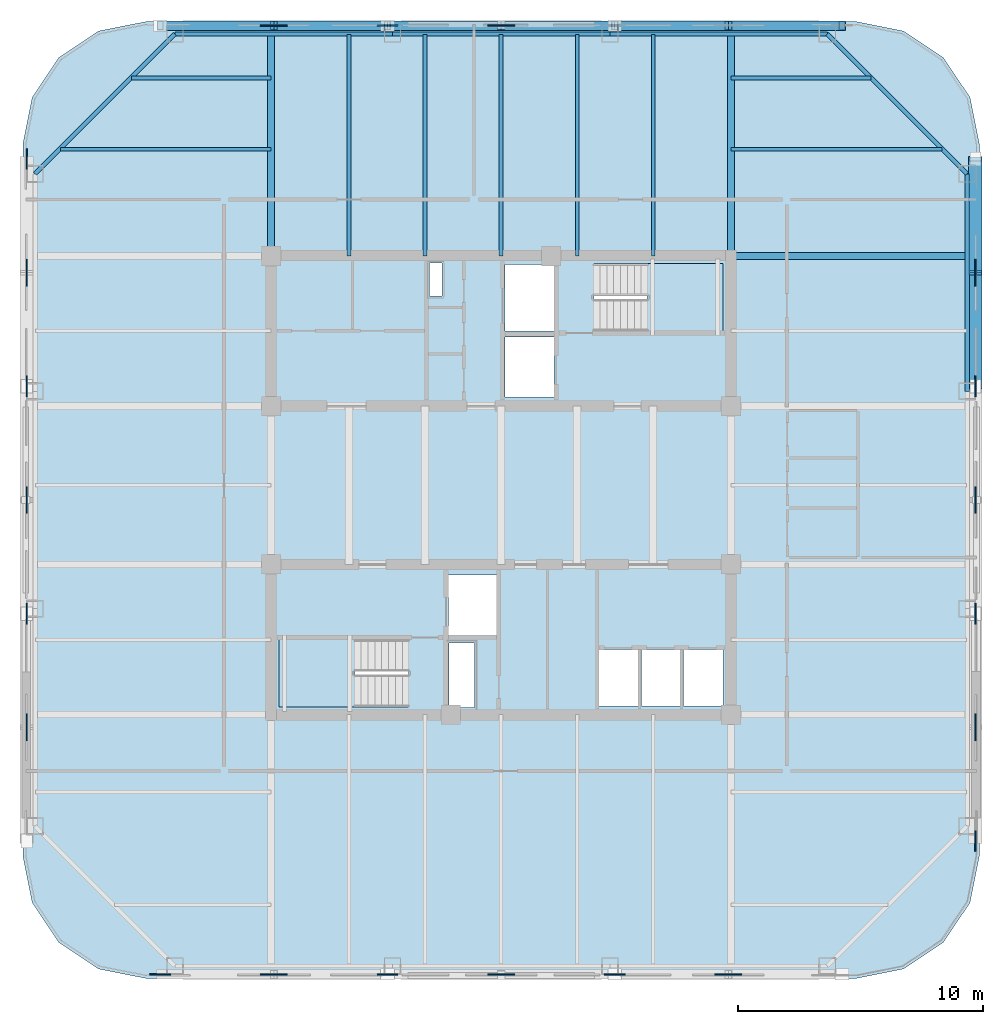
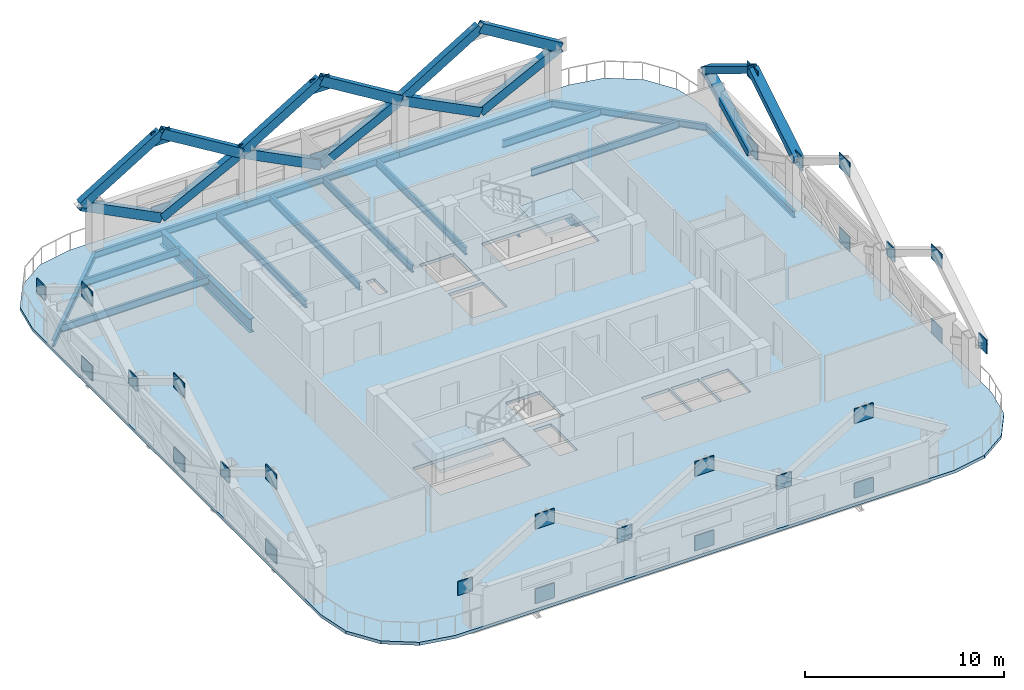
# One storey, part 2 of 9: 32 plates, 18 beams, 15 members, 3 slabs, 2 elements without a shape of their own.
"""IFC4 building model written with IfcOpenShell, lengths in metres."""

import ifcopenshell
import ifcopenshell.guid

model = None  # the IFC model being written
_history = None  # IfcOwnerHistory: only IFC2X3 demands one
_inside = {}  # id of a spatial element -> (the spatial element, [elements in it])
_under = {}  # id of a project, library or spatial element -> (it, [spatial elements below it])
_declared = {}  # id of a project -> (the project, [libraries it declares])
_typed = {}  # id of a type object -> (the type object, [elements of that type])
_made_of = {}  # id of a material, layer set ... -> (it, [elements and type objects made of it])


def new_model(schema):
    """Start an empty IFC model of exactly this schema.

    Asked for "IFC4X3", IfcOpenShell would pick the latest addendum, in which some entities
    have other attributes; the version numbers below select the first issue.
    IFC2X3 requires an IfcOwnerHistory on every rooted entity: one is made here for all.
    """
    global model, _history
    if schema == "IFC4X3":
        model = ifcopenshell.file(schema_version=(4, 3, 0, 0))
    else:
        model = ifcopenshell.file(schema=schema)
    _inside.clear()
    _under.clear()
    _declared.clear()
    _typed.clear()
    _made_of.clear()
    _history = None
    if model.schema == "IFC2X3":
        org = make("IfcOrganization", Name="unknown")
        user = make(
            "IfcPersonAndOrganization",
            ThePerson=make("IfcPerson", FamilyName="unknown"),
            TheOrganization=org,
        )
        app = make(
            "IfcApplication",
            ApplicationDeveloper=org,
            Version="unknown",
            ApplicationFullName="unknown",
            ApplicationIdentifier="unknown",
        )
        _history = make(
            "IfcOwnerHistory",
            OwningUser=user,
            OwningApplication=app,
            ChangeAction="ADDED",
            CreationDate=0,
        )
    return model


def make(cls, **values):
    """One entity of the class cls with the attributes given. An attribute that is None is left unset."""
    return model.create_entity(
        cls, **{name: value for name, value in values.items() if value is not None}
    )


def rooted(cls, **values):
    """An entity with a GlobalId (a new one), such as an element, a storey or a relation."""
    return make(cls, GlobalId=ifcopenshell.guid.new(), OwnerHistory=_history, **values)


def si_unit(unit_type, name, prefix=None):
    """IfcSIUnit, for example si_unit("LENGTHUNIT", "METRE", prefix="MILLI")."""
    return make("IfcSIUnit", UnitType=unit_type, Prefix=prefix, Name=name)


def assignment(units):
    """IfcUnitAssignment: the units of a project."""
    return None if units is None else make("IfcUnitAssignment", Units=units)


def point(xyz):
    """IfcCartesianPoint."""
    return None if xyz is None else make("IfcCartesianPoint", Coordinates=xyz)


def direction(xyz):
    """IfcDirection."""
    return None if xyz is None else make("IfcDirection", DirectionRatios=xyz)


def frame(location, z_axis=None, x_axis=None):
    """IfcAxis2Placement3D, a coordinate frame: its origin and axes. An axis left out is left unset."""
    return make(
        "IfcAxis2Placement3D",
        Location=point(location),
        Axis=direction(z_axis),
        RefDirection=direction(x_axis),
    )


def frame_2d(location, x_axis=None):
    """IfcAxis2Placement2D, a coordinate frame in the plane: its origin and x axis."""
    return make(
        "IfcAxis2Placement2D", Location=point(location), RefDirection=direction(x_axis)
    )


def origin():
    """The frame at (0, 0, 0) with its axes left unset."""
    return frame((0.0, 0.0, 0.0))


def origin_2d():
    """The frame at (0, 0) in the plane with its x axis left unset."""
    return frame_2d((0.0, 0.0))


def place(relative_to, where):
    """IfcLocalPlacement: puts the frame where relative to a parent placement (None: the world)."""
    return make(
        "IfcLocalPlacement", PlacementRelTo=relative_to, RelativePlacement=where
    )


def context(
    kind, dimensions, precision=None, world=None, true_north=None, identifier=None
):
    """IfcGeometricRepresentationContext, for example the 3D "Model" context."""
    return make(
        "IfcGeometricRepresentationContext",
        ContextIdentifier=identifier,
        ContextType=kind,
        CoordinateSpaceDimension=dimensions,
        Precision=precision,
        WorldCoordinateSystem=world,
        TrueNorth=true_north,
    )


def subcontext(parent, identifier, kind, view, scale=None):
    """IfcGeometricRepresentationSubContext, for example "Body" below "Model"."""
    return make(
        "IfcGeometricRepresentationSubContext",
        ContextIdentifier=identifier,
        ContextType=kind,
        ParentContext=parent,
        TargetScale=scale,
        TargetView=view,
    )


def project(units=None, contexts=None):
    """IfcProject with its units and contexts."""
    return rooted(
        "IfcProject",
        Name="project",
        RepresentationContexts=contexts,
        UnitsInContext=assignment(units),
    )


def spatial(cls, under=None, at=None, **own):
    """A site, building, storey or space (cls), placed at a placement, below another one or the project."""
    s = rooted(cls, ObjectPlacement=at, **own)
    if under is not None:
        _under.setdefault(under.id(), (under, []))[1].append(s)
    return s


def polyline(points):
    """IfcPolyline through the points."""
    return make("IfcPolyline", Points=[point(p) for p in points])


def profile(cls, at=None, kind="AREA", **sizes):
    """A parametric profile (cls). Its sizes go by their IFC names, for example OverallWidth=200.0."""
    return make(cls, ProfileType=kind, Position=at, **sizes)


def rectangle(**sizes):
    """IfcRectangleProfileDef."""
    return profile("IfcRectangleProfileDef", **sizes)


def hollow_rectangle(**sizes):
    """IfcRectangleHollowProfileDef."""
    return profile("IfcRectangleHollowProfileDef", **sizes)


def i_section(**sizes):
    """IfcIShapeProfileDef."""
    return profile("IfcIShapeProfileDef", **sizes)


def outline(outer, holes=None, kind="AREA"):
    """IfcArbitraryClosedProfileDef: a profile drawn as a closed curve; with holes, ...WithVoids."""
    if holes is None:
        return make("IfcArbitraryClosedProfileDef", ProfileType=kind, OuterCurve=outer)
    return make(
        "IfcArbitraryProfileDefWithVoids",
        ProfileType=kind,
        OuterCurve=outer,
        InnerCurves=holes,
    )


def extrude(swept, where, along, depth):
    """IfcExtrudedAreaSolid: the profile swept, set in the frame where, extruded along a direction by depth."""
    return make(
        "IfcExtrudedAreaSolid",
        SweptArea=swept,
        Position=where,
        ExtrudedDirection=direction(along),
        Depth=depth,
    )


def shape(context_of_items, identifier, shape_type, items):
    """IfcShapeRepresentation: the items that make up one representation, for example the "Body"."""
    return make(
        "IfcShapeRepresentation",
        ContextOfItems=context_of_items,
        RepresentationIdentifier=identifier,
        RepresentationType=shape_type,
        Items=items,
    )


def material(Name=None, Category=None):
    """IfcMaterial."""
    return make("IfcMaterial", Name=Name, Category=Category)


def layer(
    of_material, thickness, ventilated=None, Name=None, Category=None, Priority=None
):
    """IfcMaterialLayer: one layer of a wall or slab, of a material (None: an air gap)."""
    return make(
        "IfcMaterialLayer",
        Material=of_material,
        LayerThickness=thickness,
        IsVentilated=ventilated,
        Name=Name,
        Category=Category,
        Priority=Priority,
    )


def layer_set(layers, Name=None):
    """IfcMaterialLayerSet."""
    return make("IfcMaterialLayerSet", MaterialLayers=layers, LayerSetName=Name)


def material_profile(
    of_material, cross_section, Name=None, Category=None, Priority=None
):
    """IfcMaterialProfile: a cross section and its material."""
    return make(
        "IfcMaterialProfile",
        Name=Name,
        Material=of_material,
        Profile=cross_section,
        Priority=Priority,
        Category=Category,
    )


def profile_set(profiles, Name=None, composite=None):
    """IfcMaterialProfileSet."""
    return make(
        "IfcMaterialProfileSet",
        Name=Name,
        MaterialProfiles=profiles,
        CompositeProfile=composite,
    )


def made_of(thing, what):
    """Note that an element or type object is made of a material, layer set ...; save() writes the relation."""
    if what is not None:
        _made_of.setdefault(what.id(), (what, []))[1].append(thing)
    return thing


def type_object(cls, material=None, **own):
    """A type object (cls), such as IfcWallType, which elements share."""
    return made_of(rooted(cls, **own), material)


def element(
    cls,
    number,
    at=None,
    inside=None,
    cuts=None,
    type_object=None,
    material=None,
    context=None,
    identifier="Body",
    shape_type=None,
    held_by="IfcProductDefinitionShape",
    body=None,
    shapes=None,
    **own,
):
    """One element of the class cls, such as IfcWall. Its Tag is "e" and its number.

    at: its placement. inside: the storey or other place that contains it. cuts: it is an
    opening in that element (IfcRelVoidsElement). A single representation is given by context,
    identifier, shape_type and body (its items); several are given by shapes. held_by: the class
    of the entity that holds the representations. save() writes the other relations.
    """
    e = rooted(cls, Tag="e%d" % number, ObjectPlacement=at, **own)
    if body is not None:
        shapes = [shape(context, identifier, shape_type, body)]
    if shapes is not None:
        e.Representation = make(held_by, Representations=shapes)
    if inside is not None:
        _inside.setdefault(inside.id(), (inside, []))[1].append(e)
    if cuts is not None:
        rooted(
            "IfcRelVoidsElement", RelatingBuildingElement=cuts, RelatedOpeningElement=e
        )
    if type_object is not None:
        _typed.setdefault(type_object.id(), (type_object, []))[1].append(e)
    return made_of(e, material)


def aggregate(whole, parts):
    """IfcRelAggregates: a whole, such as a stair, and the parts it consists of."""
    return rooted("IfcRelAggregates", RelatingObject=whole, RelatedObjects=parts)


def save(model, path):
    """Write the relations noted so far, then the file.

    IfcRelAggregates (storeys below a building ...), IfcRelContainedInSpatialStructure (elements
    in a storey), IfcRelDefinesByType, IfcRelAssociatesMaterial and IfcRelDeclares: one each for
    every whole, place, type object, material and project.
    """
    for whole, parts in _under.values():
        aggregate(whole, parts)
    for where, things in _inside.values():
        rooted(
            "IfcRelContainedInSpatialStructure",
            RelatedElements=things,
            RelatingStructure=where,
        )
    for kind, things in _typed.values():
        rooted("IfcRelDefinesByType", RelatedObjects=things, RelatingType=kind)
    for what, things in _made_of.values():
        rooted("IfcRelAssociatesMaterial", RelatedObjects=things, RelatingMaterial=what)
    for by, libraries in _declared.values():
        rooted("IfcRelDeclares", RelatingContext=by, RelatedDefinitions=libraries)
    model.write(path)


model = new_model("IFC4")

# Units and contexts
model_context = context("Model", 3, precision=1e-05, world=origin(), true_north=direction((0.0, 1.0)))
body_context = subcontext(model_context, "Body", "Model", "MODEL_VIEW")
ifc_project = project(units=[si_unit("LENGTHUNIT", "METRE"), si_unit("AREAUNIT", "SQUARE_METRE"), si_unit("VOLUMEUNIT", "CUBIC_METRE"), si_unit("PLANEANGLEUNIT", "RADIAN"), si_unit("MASSUNIT", "GRAM", prefix="KILO")], contexts=[model_context])

# Site, building, storey
site_placement = place(None, origin())
site = spatial("IfcSite", under=ifc_project, at=site_placement, CompositionType="ELEMENT")
building_placement = place(site_placement, origin())
building = spatial("IfcBuilding", under=site, at=building_placement, Name="Qhalaya Broadcast Tower", CompositionType="ELEMENT")
storey_placement = place(building_placement, frame((0.0, 0.0, 205.60009765625)))
storey = spatial("IfcBuildingStorey", under=building, at=storey_placement, Name="L60", CompositionType="ELEMENT", Elevation=205.60009765625)

# Beams
ifc_material_1 = material(Name="Structural Steel ASTM A992 Grade 50", Category="steel")
ifc_material_profile_1 = material_profile(ifc_material_1, i_section(OverallWidth=0.154052734375, OverallDepth=0.458984375, WebThickness=0.009033203125, FlangeThickness=0.015380859375, at=origin_2d()), Name="W18X46")
ifc_profile_set_1 = profile_set([ifc_material_profile_1], Name="Structural Steel ASTM A992 Grade 50")
beam_type_1 = type_object("IfcBeamType", Name="Composite Floor Joist J04", PredefinedType="JOIST", material=ifc_profile_set_1)
for number, where, z_axis, x_axis, name in (
    (1, (-6.199951171875, 9.949951171875, -0.419677734375), (0.0, 1.0, 0.0), (-1.0, 0.0, 0.0), "L60 J04 L60-JNN1-1"),
    (2, (-3.10009765625, 9.949951171875, -0.419677734375), (0.0, 1.0, 0.0), (-1.0, 0.0, 0.0), "L60 J04 L60-JNN2-1"),
    (3, (0.0, 9.949951171875, -0.419677734375), (0.0, 1.0, 0.0), (-1.0, 0.0, 0.0), "L60 J04 L60-JNN3-1"),
    (4, (3.10009765625, 9.949951171875, -0.419677734375), (0.0, 1.0, 0.0), (-1.0, 0.0, 0.0), "L60 J04 L60-JNN4-1"),
    (5, (6.199951171875, 9.949951171875, -0.419677734375), (0.0, 1.0, 0.0), (-1.0, 0.0, 0.0), "L60 J04 L60-JNN5-1"),
):
    element("IfcBeam", number, at=place(storey_placement, frame(where, z_axis=z_axis, x_axis=x_axis)), inside=storey, type_object=beam_type_1, Name=name, PredefinedType="JOIST", context=body_context, shape_type="SweptSolid", body=[
        extrude(i_section(OverallWidth=0.154052734375, OverallDepth=0.458984375, WebThickness=0.009033203125, FlangeThickness=0.015380859375, at=origin_2d()), origin(), (0.0, 0.0, 1.0), 9.030029296875),
    ])
for number, where, z_axis, x_axis, name in (
    (6, (-17.9716796875, 14.300048828125, -0.419677734375), (1.0, 0.0, 0.0), (0.0, 1.0, 0.0), "L60 J04 L60-JWE6W-1"),
    (7, (9.375, 14.300048828125, -0.419677734375), (1.0, 0.0, 0.0), (0.0, 1.0, 0.0), "L60 J04 L60-JWE6E-1"),
):
    element("IfcBeam", number, at=place(storey_placement, frame(where, z_axis=z_axis, x_axis=x_axis)), inside=storey, type_object=beam_type_1, Name=name, PredefinedType="JOIST", context=body_context, shape_type="SweptSolid", body=[
        extrude(i_section(OverallWidth=0.154052734375, OverallDepth=0.458984375, WebThickness=0.009033203125, FlangeThickness=0.015380859375, at=origin_2d()), origin(), (0.0, 0.0, 1.0), 8.5966796875),
    ])
for number, where, z_axis, x_axis, name in (
    (8, (-15.07177734375, 17.199951171875, -0.419677734375), (1.0, 0.0, 0.0), (0.0, 1.0, 0.0), "L60 J04 L60-JWE7W-1"),
    (9, (9.375, 17.199951171875, -0.419677734375), (1.0, 0.0, 0.0), (0.0, 1.0, 0.0), "L60 J04 L60-JWE7E-1"),
):
    element("IfcBeam", number, at=place(storey_placement, frame(where, z_axis=z_axis, x_axis=x_axis)), inside=storey, type_object=beam_type_1, Name=name, PredefinedType="JOIST", context=body_context, shape_type="SweptSolid", body=[
        extrude(i_section(OverallWidth=0.154052734375, OverallDepth=0.458984375, WebThickness=0.009033203125, FlangeThickness=0.015380859375, at=origin_2d()), origin(), (0.0, 0.0, 1.0), 5.69677734375),
    ])

# Members
ifc_material_2 = material(Name="Structural Steel ASTM A572 Grade 50", Category="steel")
ifc_material_profile_2 = material_profile(ifc_material_2, hollow_rectangle(XDim=0.3798828125, YDim=0.550048828125, WallThickness=0.02490234375, at=origin_2d()), Name="BOX 380x550x25")
ifc_profile_set_2 = profile_set([ifc_material_profile_2], Name="Structural Steel ASTM A572 Grade 50")
member_type = type_object("IfcMemberType", Name="Exoskeleton Diamond Diagonal Upper EX4", PredefinedType="BRACE", material=ifc_profile_set_2)
member_placement = place(storey_placement, frame((19.340087890625, 9.2666015625, 0.35986328125), z_axis=(0.0, 0.892235092116, 0.451571190841), x_axis=(0.0, -0.451571190841, 0.892235092116)))
element("IfcMember", 10, at=member_placement, inside=storey, type_object=member_type, Name="B5 Exoskeleton Diamond Brace E3-D2", PredefinedType="BRACE", context=body_context, shape_type="SweptSolid", body=[
    extrude(hollow_rectangle(XDim=0.3798828125, YDim=0.550048828125, WallThickness=0.02490234375, at=origin_2d()), origin(), (0.0, 0.0, 1.0), 5.19287109375),
])
for number, where, z_axis, x_axis, name in (
    (11, (19.340087890625, 4.63330078125, 2.704833984375), (0.0, 0.853815197337, 0.520576227652), (0.0, -0.520576227652, 0.853815197337), "B5 Exoskeleton Diamond Brace E3-D3"),
    (12, (19.340087890625, 13.89990234375, 2.704833984375), (0.0, -0.853815197337, 0.520576227652), (0.0, 0.520576227652, 0.853815197337), "B5 Exoskeleton Diamond Brace E3-D4"),
):
    element("IfcMember", number, at=place(storey_placement, frame(where, z_axis=z_axis, x_axis=x_axis)), inside=storey, type_object=member_type, Name=name, PredefinedType="BRACE", context=body_context, shape_type="SweptSolid", body=[
        extrude(hollow_rectangle(XDim=0.3798828125, YDim=0.550048828125, WallThickness=0.02490234375, at=origin_2d()), origin(), (0.0, 0.0, 1.0), 5.426513671875),
    ])
for number, where, z_axis, x_axis, name in (
    (13, (9.2666015625, 19.340087890625, 0.35986328125), (0.892235092116, 0.0, 0.451571190841), (0.0, 1.0, 0.0), "B5 Exoskeleton Diamond Brace N1-D1"),
    (14, (9.2666015625, 19.340087890625, 0.35986328125), (-0.892235092116, 0.0, 0.451571190841), (0.0, -1.0, 0.0), "B5 Exoskeleton Diamond Brace N1-D2"),
):
    element("IfcMember", number, at=place(storey_placement, frame(where, z_axis=z_axis, x_axis=x_axis)), inside=storey, type_object=member_type, Name=name, PredefinedType="BRACE", context=body_context, shape_type="SweptSolid", body=[
        extrude(hollow_rectangle(XDim=0.3798828125, YDim=0.550048828125, WallThickness=0.02490234375, at=origin_2d()), origin(), (0.0, 0.0, 1.0), 5.19287109375),
    ])
for number, where, z_axis, x_axis, name in (
    (15, (13.89990234375, 19.340087890625, 2.704833984375), (-0.853815197337, 0.0, 0.520576227652), (0.0, -1.0, 0.0), "B5 Exoskeleton Diamond Brace N1-D3"),
    (16, (4.63330078125, 19.340087890625, 2.704833984375), (0.853815197337, 0.0, 0.520576227652), (0.0, 1.0, 0.0), "B5 Exoskeleton Diamond Brace N1-D4"),
):
    element("IfcMember", number, at=place(storey_placement, frame(where, z_axis=z_axis, x_axis=x_axis)), inside=storey, type_object=member_type, Name=name, PredefinedType="BRACE", context=body_context, shape_type="SweptSolid", body=[
        extrude(hollow_rectangle(XDim=0.3798828125, YDim=0.550048828125, WallThickness=0.02490234375, at=origin_2d()), origin(), (0.0, 0.0, 1.0), 5.426513671875),
    ])
for number, where, z_axis, x_axis, name in (
    (17, (0.0, 19.340087890625, 0.35986328125), (0.892235092116, 0.0, 0.451571190841), (0.0, 1.0, 0.0), "B5 Exoskeleton Diamond Brace N2-D1"),
    (18, (0.0, 19.340087890625, 0.35986328125), (-0.892235092116, 0.0, 0.451571190841), (0.0, -1.0, 0.0), "B5 Exoskeleton Diamond Brace N2-D2"),
):
    element("IfcMember", number, at=place(storey_placement, frame(where, z_axis=z_axis, x_axis=x_axis)), inside=storey, type_object=member_type, Name=name, PredefinedType="BRACE", context=body_context, shape_type="SweptSolid", body=[
        extrude(hollow_rectangle(XDim=0.3798828125, YDim=0.550048828125, WallThickness=0.02490234375, at=origin_2d()), origin(), (0.0, 0.0, 1.0), 5.19287109375),
    ])
for number, where, z_axis, x_axis, name in (
    (19, (4.63330078125, 19.340087890625, 2.704833984375), (-0.853815197337, 0.0, 0.520576227652), (0.0, -1.0, 0.0), "B5 Exoskeleton Diamond Brace N2-D3"),
    (20, (-4.63330078125, 19.340087890625, 2.704833984375), (0.853815197337, 0.0, 0.520576227652), (0.0, 1.0, 0.0), "B5 Exoskeleton Diamond Brace N2-D4"),
):
    element("IfcMember", number, at=place(storey_placement, frame(where, z_axis=z_axis, x_axis=x_axis)), inside=storey, type_object=member_type, Name=name, PredefinedType="BRACE", context=body_context, shape_type="SweptSolid", body=[
        extrude(hollow_rectangle(XDim=0.3798828125, YDim=0.550048828125, WallThickness=0.02490234375, at=origin_2d()), origin(), (0.0, 0.0, 1.0), 5.426513671875),
    ])
for number, where, z_axis, x_axis, name in (
    (21, (-9.2666015625, 19.340087890625, 0.35986328125), (0.892235092116, 0.0, 0.451571190841), (0.0, 1.0, 0.0), "B5 Exoskeleton Diamond Brace N3-D1"),
    (22, (-9.2666015625, 19.340087890625, 0.35986328125), (-0.892235092116, 0.0, 0.451571190841), (0.0, -1.0, 0.0), "B5 Exoskeleton Diamond Brace N3-D2"),
):
    element("IfcMember", number, at=place(storey_placement, frame(where, z_axis=z_axis, x_axis=x_axis)), inside=storey, type_object=member_type, Name=name, PredefinedType="BRACE", context=body_context, shape_type="SweptSolid", body=[
        extrude(hollow_rectangle(XDim=0.3798828125, YDim=0.550048828125, WallThickness=0.02490234375, at=origin_2d()), origin(), (0.0, 0.0, 1.0), 5.19287109375),
    ])
for number, where, z_axis, x_axis, name in (
    (23, (-4.63330078125, 19.340087890625, 2.704833984375), (-0.853815197337, 0.0, 0.520576227652), (0.0, -1.0, 0.0), "B5 Exoskeleton Diamond Brace N3-D3"),
    (24, (-13.89990234375, 19.340087890625, 2.704833984375), (0.853815197337, 0.0, 0.520576227652), (0.0, 1.0, 0.0), "B5 Exoskeleton Diamond Brace N3-D4"),
):
    element("IfcMember", number, at=place(storey_placement, frame(where, z_axis=z_axis, x_axis=x_axis)), inside=storey, type_object=member_type, Name=name, PredefinedType="BRACE", context=body_context, shape_type="SweptSolid", body=[
        extrude(hollow_rectangle(XDim=0.3798828125, YDim=0.550048828125, WallThickness=0.02490234375, at=origin_2d()), origin(), (0.0, 0.0, 1.0), 5.426513671875),
    ])

# Beams
ifc_material_profile_3 = material_profile(ifc_material_1, i_section(OverallWidth=0.2919921875, OverallDepth=0.85888671875, WebThickness=0.01708984375, FlangeThickness=0.031005859375, at=origin_2d()), Name="W33X169")
ifc_profile_set_3 = profile_set([ifc_material_profile_3], Name="Structural Steel ASTM A992 Grade 50")
beam_type_2 = type_object("IfcBeamType", Name="Upper Block Primary Girder PG4", PredefinedType="USERDEFINED", material=ifc_profile_set_3)
for number, where, z_axis, x_axis, name in (
    (25, (-9.375, 9.949951171875, -0.61962890625), (0.0, 1.0, 0.0), (-1.0, 0.0, 0.0), "L60 PG4 L60-PGXN1-1"),
    (26, (9.375, 9.949951171875, -0.61962890625), (0.0, 1.0, 0.0), (-1.0, 0.0, 0.0), "L60 PG4 L60-PGXN2-1"),
):
    element("IfcBeam", number, at=place(storey_placement, frame(where, z_axis=z_axis, x_axis=x_axis)), inside=storey, type_object=beam_type_2, Name=name, ObjectType="GIRDER", PredefinedType="USERDEFINED", context=body_context, shape_type="SweptSolid", body=[
        extrude(i_section(OverallWidth=0.2919921875, OverallDepth=0.85888671875, WebThickness=0.01708984375, FlangeThickness=0.031005859375, at=origin_2d()), origin(), (0.0, 0.0, 1.0), 9.030029296875),
    ])
beam_1_placement = place(storey_placement, frame((9.375, 9.949951171875, -0.61962890625), z_axis=(1.0, 0.0, 0.0), x_axis=(0.0, 1.0, 0.0)))
element("IfcBeam", 27, at=beam_1_placement, inside=storey, type_object=beam_type_2, Name="L60 PG4 L60-PGYE4-1", ObjectType="GIRDER", PredefinedType="USERDEFINED", context=body_context, shape_type="SweptSolid", body=[
    extrude(i_section(OverallWidth=0.2919921875, OverallDepth=0.85888671875, WebThickness=0.01708984375, FlangeThickness=0.031005859375, at=origin_2d()), origin(), (0.0, 0.0, 1.0), 9.60498046875),
])
ifc_material_profile_4 = material_profile(ifc_material_1, i_section(OverallWidth=0.177978515625, OverallDepth=0.406005859375, WebThickness=0.0078125, FlangeThickness=0.0126953125, at=origin_2d()), Name="W16X40")
ifc_profile_set_4 = profile_set([ifc_material_profile_4], Name="Structural Steel ASTM A992 Grade 50")
beam_type_3 = type_object("IfcBeamType", Name="Upper Perimeter Spandrel Beam SP2", PredefinedType="SPANDREL", material=ifc_profile_set_4)
beam_2_placement = place(storey_placement, frame((19.0, 4.433349609375, -0.39306640625), z_axis=(0.0, 1.0, 0.0), x_axis=(-1.0, 0.0, 0.0)))
element("IfcBeam", 28, at=beam_2_placement, inside=storey, type_object=beam_type_3, Name="L60 SP2 L60-SPR-07", PredefinedType="SPANDREL", context=body_context, shape_type="SweptSolid", body=[
    extrude(i_section(OverallWidth=0.177978515625, OverallDepth=0.406005859375, WebThickness=0.0078125, FlangeThickness=0.0126953125, at=origin_2d()), origin(), (0.0, 0.0, 1.0), 8.86669921875),
])
beam_3_placement = place(storey_placement, frame((19.0, 13.300048828125, -0.39306640625), z_axis=(-0.707106781187, 0.707106781187, 0.0), x_axis=(-0.707106781187, -0.707106781187, 0.0)))
element("IfcBeam", 29, at=beam_3_placement, inside=storey, type_object=beam_type_3, Name="L60 SP2 L60-SPR-08", PredefinedType="SPANDREL", context=body_context, shape_type="SweptSolid", body=[
    extrude(i_section(OverallWidth=0.177978515625, OverallDepth=0.406005859375, WebThickness=0.0078125, FlangeThickness=0.0126953125, at=origin_2d()), origin(), (0.0, 0.0, 1.0), 8.06103515625),
])
for number, where, z_axis, x_axis, name in (
    (30, (13.300048828125, 19.0, -0.39306640625), (-1.0, 0.0, 0.0), (0.0, -1.0, 0.0), "L60 SP2 L60-SPR-09"),
    (31, (4.433349609375, 19.0, -0.39306640625), (-1.0, 0.0, 0.0), (0.0, -1.0, 0.0), "L60 SP2 L60-SPR-10"),
    (32, (-4.433349609375, 19.0, -0.39306640625), (-1.0, 0.0, 0.0), (0.0, -1.0, 0.0), "L60 SP2 L60-SPR-11"),
):
    element("IfcBeam", number, at=place(storey_placement, frame(where, z_axis=z_axis, x_axis=x_axis)), inside=storey, type_object=beam_type_3, Name=name, PredefinedType="SPANDREL", context=body_context, shape_type="SweptSolid", body=[
        extrude(i_section(OverallWidth=0.177978515625, OverallDepth=0.406005859375, WebThickness=0.0078125, FlangeThickness=0.0126953125, at=origin_2d()), origin(), (0.0, 0.0, 1.0), 8.86669921875),
    ])
beam_4_placement = place(storey_placement, frame((-13.300048828125, 19.0, -0.39306640625), z_axis=(-0.707106781187, -0.707106781187, 0.0), x_axis=(0.707106781187, -0.707106781187, 0.0)))
element("IfcBeam", 33, at=beam_4_placement, inside=storey, type_object=beam_type_3, Name="L60 SP2 L60-SPR-12", PredefinedType="SPANDREL", context=body_context, shape_type="SweptSolid", body=[
    extrude(i_section(OverallWidth=0.177978515625, OverallDepth=0.406005859375, WebThickness=0.0078125, FlangeThickness=0.0126953125, at=origin_2d()), origin(), (0.0, 0.0, 1.0), 8.06103515625),
])

# Plates
ifc_layer_1 = layer(ifc_material_2, 0.054931640625, Name="Structural Steel ASTM A572 Grade 50")
ifc_layer_set_1 = layer_set([ifc_layer_1], Name="Structural Steel ASTM A572 Grade 50")
plate_type = type_object("IfcPlateType", Name="Exoskeleton Diamond Node Gusset Plate NP-01", PredefinedType="USERDEFINED", material=ifc_layer_set_1)
for number, where, z_axis, x_axis, name in (
    (34, (-9.2666015625, -19.340087890625, 0.2099609375), (0.0, 0.0, 1.0), (1.0, 0.0, 0.0), "Exoskeleton Diamond Node B5-S1-BOT"),
    (35, (-9.2666015625, -19.340087890625, 4.780029296875), (0.0, 0.0, 1.0), (1.0, 0.0, 0.0), "Exoskeleton Diamond Node B5-S1-TOP"),
):
    element("IfcPlate", number, at=place(storey_placement, frame(where, z_axis=z_axis, x_axis=x_axis)), inside=storey, type_object=plate_type, Name=name, ObjectType="GUSSET_PLATE", PredefinedType="USERDEFINED", context=body_context, shape_type="SweptSolid", body=[
        extrude(rectangle(XDim=1.10009765625, YDim=0.054931640625, at=origin_2d()), origin(), (0.0, 0.0, 1.0), 0.89990234375),
    ])
plate_1_placement = place(storey_placement, frame((-13.89990234375, -19.340087890625, 2.27978515625), z_axis=(0.0, 0.0, 1.0), x_axis=(1.0, 0.0, 0.0)))
element("IfcPlate", 36, at=plate_1_placement, inside=storey, type_object=plate_type, Name="Exoskeleton Diamond Node B5-S1-MDL", ObjectType="GUSSET_PLATE", PredefinedType="USERDEFINED", context=body_context, shape_type="SweptSolid", body=[
    extrude(rectangle(XDim=0.85009765625, YDim=0.054931640625, at=origin_2d()), origin(), (0.0, 0.0, 1.0), 0.85009765625),
])
for number, where, z_axis, x_axis, name in (
    (37, (0.0, -19.340087890625, 0.2099609375), (0.0, 0.0, 1.0), (1.0, 0.0, 0.0), "Exoskeleton Diamond Node B5-S2-BOT"),
    (38, (0.0, -19.340087890625, 4.780029296875), (0.0, 0.0, 1.0), (1.0, 0.0, 0.0), "Exoskeleton Diamond Node B5-S2-TOP"),
):
    element("IfcPlate", number, at=place(storey_placement, frame(where, z_axis=z_axis, x_axis=x_axis)), inside=storey, type_object=plate_type, Name=name, ObjectType="GUSSET_PLATE", PredefinedType="USERDEFINED", context=body_context, shape_type="SweptSolid", body=[
        extrude(rectangle(XDim=1.10009765625, YDim=0.054931640625, at=origin_2d()), origin(), (0.0, 0.0, 1.0), 0.89990234375),
    ])
plate_2_placement = place(storey_placement, frame((-4.63330078125, -19.340087890625, 2.27978515625), z_axis=(0.0, 0.0, 1.0), x_axis=(1.0, 0.0, 0.0)))
element("IfcPlate", 39, at=plate_2_placement, inside=storey, type_object=plate_type, Name="Exoskeleton Diamond Node B5-S2-MDL", ObjectType="GUSSET_PLATE", PredefinedType="USERDEFINED", context=body_context, shape_type="SweptSolid", body=[
    extrude(rectangle(XDim=0.85009765625, YDim=0.054931640625, at=origin_2d()), origin(), (0.0, 0.0, 1.0), 0.85009765625),
])
for number, where, z_axis, x_axis, name in (
    (40, (9.2666015625, -19.340087890625, 0.2099609375), (0.0, 0.0, 1.0), (1.0, 0.0, 0.0), "Exoskeleton Diamond Node B5-S3-BOT"),
    (41, (9.2666015625, -19.340087890625, 4.780029296875), (0.0, 0.0, 1.0), (1.0, 0.0, 0.0), "Exoskeleton Diamond Node B5-S3-TOP"),
):
    element("IfcPlate", number, at=place(storey_placement, frame(where, z_axis=z_axis, x_axis=x_axis)), inside=storey, type_object=plate_type, Name=name, ObjectType="GUSSET_PLATE", PredefinedType="USERDEFINED", context=body_context, shape_type="SweptSolid", body=[
        extrude(rectangle(XDim=1.10009765625, YDim=0.054931640625, at=origin_2d()), origin(), (0.0, 0.0, 1.0), 0.89990234375),
    ])
plate_3_placement = place(storey_placement, frame((4.63330078125, -19.340087890625, 2.27978515625), z_axis=(0.0, 0.0, 1.0), x_axis=(1.0, 0.0, 0.0)))
element("IfcPlate", 42, at=plate_3_placement, inside=storey, type_object=plate_type, Name="Exoskeleton Diamond Node B5-S3-MDL", ObjectType="GUSSET_PLATE", PredefinedType="USERDEFINED", context=body_context, shape_type="SweptSolid", body=[
    extrude(rectangle(XDim=0.85009765625, YDim=0.054931640625, at=origin_2d()), origin(), (0.0, 0.0, 1.0), 0.85009765625),
])
for number, where, z_axis, x_axis, name in (
    (43, (19.340087890625, -9.2666015625, 0.2099609375), (0.0, 0.0, 1.0), (0.0, 1.0, 0.0), "Exoskeleton Diamond Node B5-E1-BOT"),
    (44, (19.340087890625, -9.2666015625, 4.780029296875), (0.0, 0.0, 1.0), (0.0, 1.0, 0.0), "Exoskeleton Diamond Node B5-E1-TOP"),
):
    element("IfcPlate", number, at=place(storey_placement, frame(where, z_axis=z_axis, x_axis=x_axis)), inside=storey, type_object=plate_type, Name=name, ObjectType="GUSSET_PLATE", PredefinedType="USERDEFINED", context=body_context, shape_type="SweptSolid", body=[
        extrude(rectangle(XDim=1.10009765625, YDim=0.054931640625, at=origin_2d()), origin(), (0.0, 0.0, 1.0), 0.89990234375),
    ])
plate_4_placement = place(storey_placement, frame((19.340087890625, -13.89990234375, 2.27978515625), z_axis=(0.0, 0.0, 1.0), x_axis=(0.0, 1.0, 0.0)))
element("IfcPlate", 45, at=plate_4_placement, inside=storey, type_object=plate_type, Name="Exoskeleton Diamond Node B5-E1-MDL", ObjectType="GUSSET_PLATE", PredefinedType="USERDEFINED", context=body_context, shape_type="SweptSolid", body=[
    extrude(rectangle(XDim=0.85009765625, YDim=0.054931640625, at=origin_2d()), origin(), (0.0, 0.0, 1.0), 0.85009765625),
])
for number, where, z_axis, x_axis, name in (
    (46, (19.340087890625, 0.0, 0.2099609375), (0.0, 0.0, 1.0), (0.0, 1.0, 0.0), "Exoskeleton Diamond Node B5-E2-BOT"),
    (47, (19.340087890625, 0.0, 4.780029296875), (0.0, 0.0, 1.0), (0.0, 1.0, 0.0), "Exoskeleton Diamond Node B5-E2-TOP"),
):
    element("IfcPlate", number, at=place(storey_placement, frame(where, z_axis=z_axis, x_axis=x_axis)), inside=storey, type_object=plate_type, Name=name, ObjectType="GUSSET_PLATE", PredefinedType="USERDEFINED", context=body_context, shape_type="SweptSolid", body=[
        extrude(rectangle(XDim=1.10009765625, YDim=0.054931640625, at=origin_2d()), origin(), (0.0, 0.0, 1.0), 0.89990234375),
    ])
plate_5_placement = place(storey_placement, frame((19.340087890625, -4.63330078125, 2.27978515625), z_axis=(0.0, 0.0, 1.0), x_axis=(0.0, 1.0, 0.0)))
element("IfcPlate", 48, at=plate_5_placement, inside=storey, type_object=plate_type, Name="Exoskeleton Diamond Node B5-E2-MDL", ObjectType="GUSSET_PLATE", PredefinedType="USERDEFINED", context=body_context, shape_type="SweptSolid", body=[
    extrude(rectangle(XDim=0.85009765625, YDim=0.054931640625, at=origin_2d()), origin(), (0.0, 0.0, 1.0), 0.85009765625),
])
for number, where, z_axis, x_axis, name in (
    (49, (19.340087890625, 9.2666015625, 0.2099609375), (0.0, 0.0, 1.0), (0.0, 1.0, 0.0), "Exoskeleton Diamond Node B5-E3-BOT"),
    (50, (19.340087890625, 9.2666015625, 4.780029296875), (0.0, 0.0, 1.0), (0.0, 1.0, 0.0), "Exoskeleton Diamond Node B5-E3-TOP"),
):
    element("IfcPlate", number, at=place(storey_placement, frame(where, z_axis=z_axis, x_axis=x_axis)), inside=storey, type_object=plate_type, Name=name, ObjectType="GUSSET_PLATE", PredefinedType="USERDEFINED", context=body_context, shape_type="SweptSolid", body=[
        extrude(rectangle(XDim=1.10009765625, YDim=0.054931640625, at=origin_2d()), origin(), (0.0, 0.0, 1.0), 0.89990234375),
    ])
plate_6_placement = place(storey_placement, frame((19.340087890625, 4.63330078125, 2.27978515625), z_axis=(0.0, 0.0, 1.0), x_axis=(0.0, 1.0, 0.0)))
element("IfcPlate", 51, at=plate_6_placement, inside=storey, type_object=plate_type, Name="Exoskeleton Diamond Node B5-E3-MDL", ObjectType="GUSSET_PLATE", PredefinedType="USERDEFINED", context=body_context, shape_type="SweptSolid", body=[
    extrude(rectangle(XDim=0.85009765625, YDim=0.054931640625, at=origin_2d()), origin(), (0.0, 0.0, 1.0), 0.85009765625),
])
for number, where, z_axis, x_axis, name in (
    (52, (0.0, 19.340087890625, 0.2099609375), (0.0, 0.0, 1.0), (1.0, 0.0, 0.0), "Exoskeleton Diamond Node B5-N2-BOT"),
    (53, (0.0, 19.340087890625, 4.780029296875), (0.0, 0.0, 1.0), (1.0, 0.0, 0.0), "Exoskeleton Diamond Node B5-N2-TOP"),
    (54, (-9.2666015625, 19.340087890625, 0.2099609375), (0.0, 0.0, 1.0), (1.0, 0.0, 0.0), "Exoskeleton Diamond Node B5-N3-BOT"),
    (55, (-9.2666015625, 19.340087890625, 4.780029296875), (0.0, 0.0, 1.0), (1.0, 0.0, 0.0), "Exoskeleton Diamond Node B5-N3-TOP"),
):
    element("IfcPlate", number, at=place(storey_placement, frame(where, z_axis=z_axis, x_axis=x_axis)), inside=storey, type_object=plate_type, Name=name, ObjectType="GUSSET_PLATE", PredefinedType="USERDEFINED", context=body_context, shape_type="SweptSolid", body=[
        extrude(rectangle(XDim=1.10009765625, YDim=0.054931640625, at=origin_2d()), origin(), (0.0, 0.0, 1.0), 0.89990234375),
    ])
plate_7_placement = place(storey_placement, frame((-4.63330078125, 19.340087890625, 2.27978515625), z_axis=(0.0, 0.0, 1.0), x_axis=(1.0, 0.0, 0.0)))
element("IfcPlate", 56, at=plate_7_placement, inside=storey, type_object=plate_type, Name="Exoskeleton Diamond Node B5-N3-MDL", ObjectType="GUSSET_PLATE", PredefinedType="USERDEFINED", context=body_context, shape_type="SweptSolid", body=[
    extrude(rectangle(XDim=0.85009765625, YDim=0.054931640625, at=origin_2d()), origin(), (0.0, 0.0, 1.0), 0.85009765625),
])
for number, where, z_axis, x_axis, name in (
    (57, (-19.340087890625, 9.2666015625, 0.2099609375), (0.0, 0.0, 1.0), (0.0, 1.0, 0.0), "Exoskeleton Diamond Node B5-W1-BOT"),
    (58, (-19.340087890625, 9.2666015625, 4.780029296875), (0.0, 0.0, 1.0), (0.0, 1.0, 0.0), "Exoskeleton Diamond Node B5-W1-TOP"),
):
    element("IfcPlate", number, at=place(storey_placement, frame(where, z_axis=z_axis, x_axis=x_axis)), inside=storey, type_object=plate_type, Name=name, ObjectType="GUSSET_PLATE", PredefinedType="USERDEFINED", context=body_context, shape_type="SweptSolid", body=[
        extrude(rectangle(XDim=1.10009765625, YDim=0.054931640625, at=origin_2d()), origin(), (0.0, 0.0, 1.0), 0.89990234375),
    ])
plate_8_placement = place(storey_placement, frame((-19.340087890625, 13.89990234375, 2.27978515625), z_axis=(0.0, 0.0, 1.0), x_axis=(0.0, 1.0, 0.0)))
element("IfcPlate", 59, at=plate_8_placement, inside=storey, type_object=plate_type, Name="Exoskeleton Diamond Node B5-W1-MDL", ObjectType="GUSSET_PLATE", PredefinedType="USERDEFINED", context=body_context, shape_type="SweptSolid", body=[
    extrude(rectangle(XDim=0.85009765625, YDim=0.054931640625, at=origin_2d()), origin(), (0.0, 0.0, 1.0), 0.85009765625),
])
for number, where, z_axis, x_axis, name in (
    (60, (-19.340087890625, 0.0, 0.2099609375), (0.0, 0.0, 1.0), (0.0, 1.0, 0.0), "Exoskeleton Diamond Node B5-W2-BOT"),
    (61, (-19.340087890625, 0.0, 4.780029296875), (0.0, 0.0, 1.0), (0.0, 1.0, 0.0), "Exoskeleton Diamond Node B5-W2-TOP"),
):
    element("IfcPlate", number, at=place(storey_placement, frame(where, z_axis=z_axis, x_axis=x_axis)), inside=storey, type_object=plate_type, Name=name, ObjectType="GUSSET_PLATE", PredefinedType="USERDEFINED", context=body_context, shape_type="SweptSolid", body=[
        extrude(rectangle(XDim=1.10009765625, YDim=0.054931640625, at=origin_2d()), origin(), (0.0, 0.0, 1.0), 0.89990234375),
    ])
plate_9_placement = place(storey_placement, frame((-19.340087890625, 4.63330078125, 2.27978515625), z_axis=(0.0, 0.0, 1.0), x_axis=(0.0, 1.0, 0.0)))
element("IfcPlate", 62, at=plate_9_placement, inside=storey, type_object=plate_type, Name="Exoskeleton Diamond Node B5-W2-MDL", ObjectType="GUSSET_PLATE", PredefinedType="USERDEFINED", context=body_context, shape_type="SweptSolid", body=[
    extrude(rectangle(XDim=0.85009765625, YDim=0.054931640625, at=origin_2d()), origin(), (0.0, 0.0, 1.0), 0.85009765625),
])
for number, where, z_axis, x_axis, name in (
    (63, (-19.340087890625, -9.2666015625, 0.2099609375), (0.0, 0.0, 1.0), (0.0, 1.0, 0.0), "Exoskeleton Diamond Node B5-W3-BOT"),
    (64, (-19.340087890625, -9.2666015625, 4.780029296875), (0.0, 0.0, 1.0), (0.0, 1.0, 0.0), "Exoskeleton Diamond Node B5-W3-TOP"),
):
    element("IfcPlate", number, at=place(storey_placement, frame(where, z_axis=z_axis, x_axis=x_axis)), inside=storey, type_object=plate_type, Name=name, ObjectType="GUSSET_PLATE", PredefinedType="USERDEFINED", context=body_context, shape_type="SweptSolid", body=[
        extrude(rectangle(XDim=1.10009765625, YDim=0.054931640625, at=origin_2d()), origin(), (0.0, 0.0, 1.0), 0.89990234375),
    ])
plate_10_placement = place(storey_placement, frame((-19.340087890625, -4.63330078125, 2.27978515625), z_axis=(0.0, 0.0, 1.0), x_axis=(0.0, 1.0, 0.0)))
element("IfcPlate", 65, at=plate_10_placement, inside=storey, type_object=plate_type, Name="Exoskeleton Diamond Node B5-W3-MDL", ObjectType="GUSSET_PLATE", PredefinedType="USERDEFINED", context=body_context, shape_type="SweptSolid", body=[
    extrude(rectangle(XDim=0.85009765625, YDim=0.054931640625, at=origin_2d()), origin(), (0.0, 0.0, 1.0), 0.85009765625),
])

# Stair, slab
ifc_material_3 = material(Name="Concrete C40/50", Category="concrete")
stair_type = type_object("IfcStairType", Name="Protected Dogleg Core Stair 3150", PredefinedType="TWO_STRAIGHT_RUN_STAIR", material=ifc_material_3)
stair_1_placement = place(storey_placement, origin())
stair_1 = element("IfcStair", 66, at=stair_1_placement, inside=storey, type_object=stair_type, Name="L60 North Core Exit Stair ST-1", PredefinedType="TWO_STRAIGHT_RUN_STAIR")
ifc_layer_2 = layer(ifc_material_3, 0.199951171875, Name="Concrete C40/50")
ifc_layer_set_2 = layer_set([ifc_layer_2], Name="Concrete C40/50")
slab_type_1 = type_object("IfcSlabType", Name="Stair & Ramp Half-Landing Slab 200", PredefinedType="LANDING", material=ifc_layer_set_2)
slab_1_placement = place(storey_placement, frame((0.0, 0.0, 1.324951171875)))
slab_1 = element("IfcSlab", 67, at=slab_1_placement, type_object=slab_type_1, Name="ST-1 landing 1", PredefinedType="LANDING", context=body_context, shape_type="SweptSolid", body=[
    extrude(outline(polyline([(5.955078125, 6.8798828125), (9.050048828125, 6.8798828125), (9.050048828125, 9.639892578125), (5.955078125, 9.639892578125), (5.955078125, 6.8798828125)])), origin(), (0.0, 0.0, 1.0), 0.199951171875),
])
aggregate(stair_1, [slab_1])

stair_2_placement = place(storey_placement, origin())
stair_2 = element("IfcStair", 68, at=stair_2_placement, inside=storey, type_object=stair_type, Name="L60 South Core Exit Stair ST-2", PredefinedType="TWO_STRAIGHT_RUN_STAIR")
slab_2_placement = place(storey_placement, frame((0.0, 0.0, 1.324951171875)))
slab_2 = element("IfcSlab", 69, at=slab_2_placement, type_object=slab_type_1, Name="ST-2 landing 1", PredefinedType="LANDING", context=body_context, shape_type="SweptSolid", body=[
    extrude(outline(polyline([(-5.955078125, -5.679931640625), (-9.050048828125, -5.679931640625), (-9.050048828125, -8.43994140625), (-5.955078125, -8.43994140625), (-5.955078125, -5.679931640625)])), origin(), (0.0, 0.0, 1.0), 0.199951171875),
])
aggregate(stair_2, [slab_2])

# Slab
ifc_layer_3 = layer(ifc_material_3, 0.18994140625, Name="Concrete C40/50")
ifc_layer_set_3 = layer_set([ifc_layer_3], Name="Concrete C40/50")
slab_type_2 = type_object("IfcSlabType", Name="Upper Tower Composite Floor Slab 190", PredefinedType="FLOOR", material=ifc_layer_set_3)
slab_3_placement = place(storey_placement, frame((0.0, 0.0, -0.190185546875)))
element("IfcSlab", 70, at=slab_3_placement, inside=storey, type_object=slab_type_2, Name="L60 Main Structural Floor Slab", PredefinedType="FLOOR", context=body_context, shape_type="SweptSolid", body=[
    extrude(outline(polyline([(14.5, -19.5), (16.413330078125, -19.119384765625), (18.035400390625, -18.035400390625), (19.119384765625, -16.413330078125), (19.5, -14.5), (19.5, 14.5), (19.119384765625, 16.413330078125), (18.035400390625, 18.035400390625), (16.413330078125, 19.119384765625), (14.5, 19.5), (-14.5, 19.5), (-16.413330078125, 19.119384765625), (-18.035400390625, 18.035400390625), (-19.119384765625, 16.413330078125), (-19.5, 14.5), (-19.5, -14.5), (-19.119384765625, -16.413330078125), (-18.035400390625, -18.035400390625), (-16.413330078125, -19.119384765625), (-14.5, -19.5), (14.5, -19.5)]), holes=[polyline([(3.784912109375, 9.639892578125), (9.050048828125, 9.639892578125), (9.050048828125, 6.8798828125), (3.784912109375, 6.8798828125), (3.784912109375, 9.639892578125)]), polyline([(-3.784912109375, -8.43994140625), (-9.050048828125, -8.43994140625), (-9.050048828125, -5.679931640625), (-3.784912109375, -5.679931640625), (-3.784912109375, -8.43994140625)]), polyline([(0.14990234375, 6.64990234375), (2.14990234375, 6.64990234375), (2.14990234375, 4.199951171875), (0.14990234375, 4.199951171875), (0.14990234375, 6.64990234375)]), polyline([(0.14990234375, 9.60009765625), (2.14990234375, 9.60009765625), (2.14990234375, 6.89990234375), (0.14990234375, 6.89990234375), (0.14990234375, 9.60009765625)]), polyline([(-2.14990234375, -3.050048828125), (-0.14990234375, -3.050048828125), (-0.14990234375, -5.5), (-2.14990234375, -5.5), (-2.14990234375, -3.050048828125)]), polyline([(4.0, -6.10009765625), (5.60009765625, -6.10009765625), (5.60009765625, -8.39990234375), (4.0, -8.39990234375), (4.0, -6.10009765625)]), polyline([(5.719970703125, -6.10009765625), (7.320068359375, -6.10009765625), (7.320068359375, -8.39990234375), (5.719970703125, -8.39990234375), (5.719970703125, -6.10009765625)]), polyline([(7.43994140625, -6.10009765625), (9.0400390625, -6.10009765625), (9.0400390625, -8.39990234375), (7.43994140625, -8.39990234375), (7.43994140625, -6.10009765625)]), polyline([(-2.919921875, 9.659912109375), (-2.419921875, 9.659912109375), (-2.419921875, 8.320068359375), (-2.919921875, 8.320068359375), (-2.919921875, 9.659912109375)]), polyline([(-2.1201171875, -5.820068359375), (-1.080078125, -5.820068359375), (-1.080078125, -8.4599609375), (-2.1201171875, -8.4599609375), (-2.1201171875, -5.820068359375)])]), origin(), (0.0, 0.0, 1.0), 0.190185546875),
])

save(model, "model.ifc")
